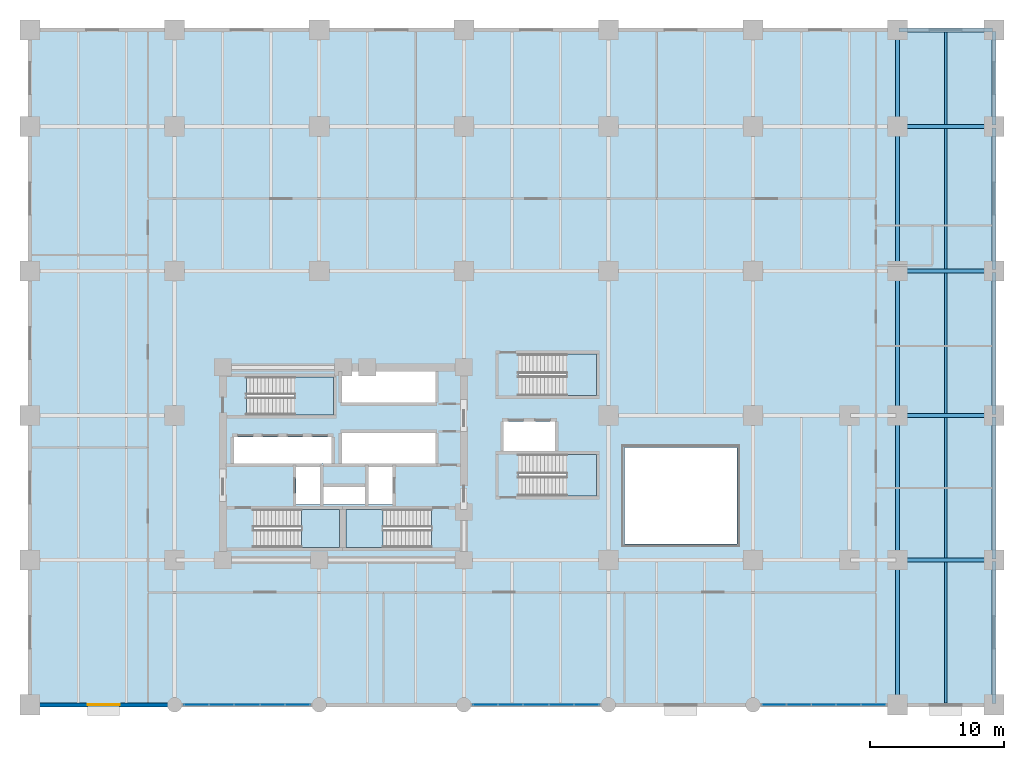
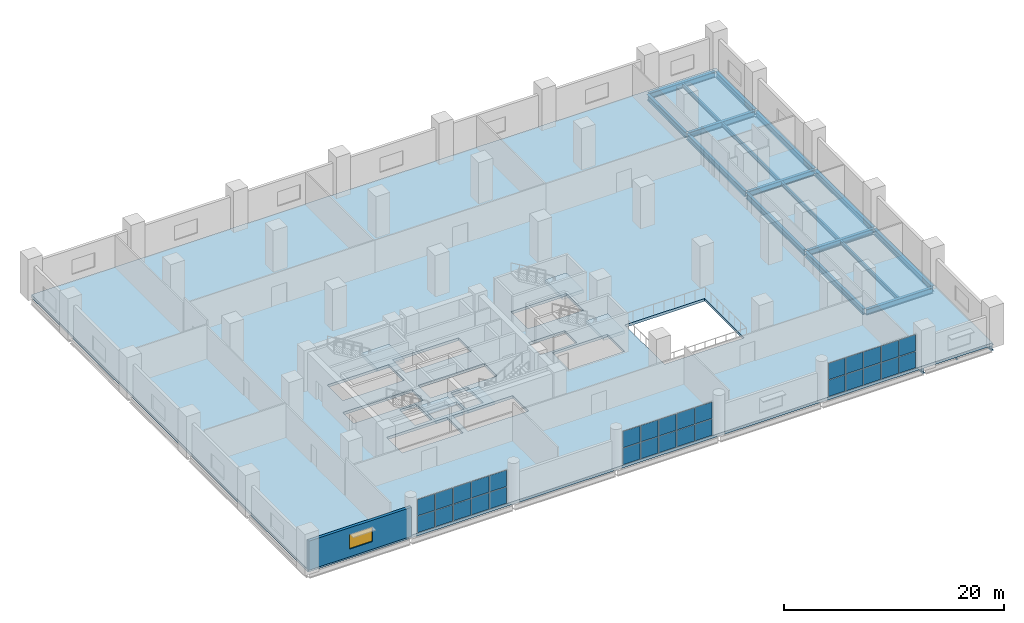
# One storey, part 9 of 16: 30 plates, 20 beams, 6 slabs, 1 wall, 1 window, 1 opening, 8 elements without a shape of their own.
"""IFC4 building model written with IfcOpenShell, lengths in metres."""

from ifc_helpers import new_model, si_unit, direction, frame, frame_2d, origin, origin_2d, place, context, subcontext, project, spatial, polyline, rectangle, i_section, outline, extrude, material, layer, layer_set, material_profile, profile_set, type_object, element, fill, aggregate, save


model = new_model("IFC4")

# Units and contexts
model_context = context("Model", 3, precision=1e-05, world=origin(), true_north=direction((0.0, 1.0)))
body_context = subcontext(model_context, "Body", "Model", "MODEL_VIEW")
ifc_project = project(units=[si_unit("LENGTHUNIT", "METRE"), si_unit("AREAUNIT", "SQUARE_METRE"), si_unit("VOLUMEUNIT", "CUBIC_METRE"), si_unit("PLANEANGLEUNIT", "RADIAN"), si_unit("MASSUNIT", "GRAM", prefix="KILO")], contexts=[model_context])

# Site, building, storey
site_placement = place(None, origin())
site = spatial("IfcSite", under=ifc_project, at=site_placement, CompositionType="ELEMENT")
building_placement = place(site_placement, origin())
building = spatial("IfcBuilding", under=site, at=building_placement, Name="Solnavia Interchange Tower", CompositionType="ELEMENT")
storey_placement = place(building_placement, frame((0.0, 0.0, 10.199951171875)))
storey = spatial("IfcBuildingStorey", under=building, at=storey_placement, Name="L02", CompositionType="ELEMENT", Elevation=10.199951171875)

# Beams
ifc_material_1 = material(Name="Steel S460", Category="steel")
ifc_material_profile_1 = material_profile(ifc_material_1, i_section(OverallWidth=0.300048828125, OverallDepth=0.64990234375, WebThickness=0.01611328125, FlangeThickness=0.031005859375, FilletRadius=0.027099609375, at=origin_2d()), Name="HEB 650")
ifc_profile_set_1 = profile_set([ifc_material_profile_1], Name="Steel S460")
beam_type_1 = type_object("IfcBeamType", Name="Beam-Girder-HEB650", PredefinedType="BEAM", material=ifc_profile_set_1)
for number, where, z_axis, x_axis, name in (
    (1, (64.89990234375, 10.800048828125, -0.625), (1.0, 0.0, 0.0), (0.0, 1.0, 0.0), "GRD-L02-16 Podium primary girder"),
    (2, (64.89990234375, 21.60009765625, -0.625), (1.0, 0.0, 0.0), (0.0, 1.0, 0.0), "GRD-L02-21 Podium primary girder"),
    (3, (64.89990234375, 32.39990234375, -0.625), (1.0, 0.0, 0.0), (0.0, 1.0, 0.0), "GRD-L02-29 Podium primary girder"),
    (4, (64.89990234375, 43.199951171875, -0.625), (1.0, 0.0, 0.0), (0.0, 1.0, 0.0), "GRD-L02-36 Podium primary girder"),
    (5, (64.89990234375, 50.39990234375, -0.625), (1.0, 0.0, 0.0), (0.0, 1.0, 0.0), "GRD-L02-43 Podium primary girder"),
):
    element("IfcBeam", number, at=place(storey_placement, frame(where, z_axis=z_axis, x_axis=x_axis)), inside=storey, type_object=beam_type_1, Name=name, PredefinedType="BEAM", context=body_context, shape_type="SweptSolid", body=[
        extrude(i_section(OverallWidth=0.300048828125, OverallDepth=0.64990234375, WebThickness=0.01611328125, FlangeThickness=0.031005859375, FilletRadius=0.027099609375, at=origin_2d()), origin(), (0.0, 0.0, 1.0), 7.0),
    ])
beam_1_placement = place(storey_placement, frame((64.800048828125, 0.10009765625, -0.625), z_axis=(0.0, 1.0, 0.0), x_axis=(-1.0, 0.0, 0.0)))
element("IfcBeam", 6, at=beam_1_placement, inside=storey, type_object=beam_type_1, Name="GRD-L02-73 Podium primary girder", PredefinedType="BEAM", context=body_context, shape_type="SweptSolid", body=[
    extrude(i_section(OverallWidth=0.300048828125, OverallDepth=0.64990234375, WebThickness=0.01611328125, FlangeThickness=0.031005859375, FilletRadius=0.027099609375, at=origin_2d()), origin(), (0.0, 0.0, 1.0), 10.599853515625),
])
for number, where, z_axis, x_axis, name in (
    (7, (64.800048828125, 10.89990234375, -0.625), (0.0, 1.0, 0.0), (-1.0, 0.0, 0.0), "GRD-L02-74 Podium primary girder"),
    (8, (64.800048828125, 21.699951171875, -0.625), (0.0, 1.0, 0.0), (-1.0, 0.0, 0.0), "GRD-L02-75 Podium primary girder"),
    (9, (64.800048828125, 32.5, -0.625), (0.0, 1.0, 0.0), (-1.0, 0.0, 0.0), "GRD-L02-76 Podium primary girder"),
):
    element("IfcBeam", number, at=place(storey_placement, frame(where, z_axis=z_axis, x_axis=x_axis)), inside=storey, type_object=beam_type_1, Name=name, PredefinedType="BEAM", context=body_context, shape_type="SweptSolid", body=[
        extrude(i_section(OverallWidth=0.300048828125, OverallDepth=0.64990234375, WebThickness=0.01611328125, FlangeThickness=0.031005859375, FilletRadius=0.027099609375, at=origin_2d()), origin(), (0.0, 0.0, 1.0), 10.60009765625),
    ])
beam_2_placement = place(storey_placement, frame((64.800048828125, 43.300048828125, -0.625), z_axis=(0.0, 1.0, 0.0), x_axis=(-1.0, 0.0, 0.0)))
element("IfcBeam", 10, at=beam_2_placement, inside=storey, type_object=beam_type_1, Name="GRD-L02-77 Podium primary girder", PredefinedType="BEAM", context=body_context, shape_type="SweptSolid", body=[
    extrude(i_section(OverallWidth=0.300048828125, OverallDepth=0.64990234375, WebThickness=0.01611328125, FlangeThickness=0.031005859375, FilletRadius=0.027099609375, at=origin_2d()), origin(), (0.0, 0.0, 1.0), 7.0),
])
beam_3_placement = place(storey_placement, frame((72.0, 0.10009765625, -0.625), z_axis=(0.0, 1.0, 0.0), x_axis=(-1.0, 0.0, 0.0)))
element("IfcBeam", 11, at=beam_3_placement, inside=storey, type_object=beam_type_1, Name="GRD-L02-78 Podium primary girder", PredefinedType="BEAM", context=body_context, shape_type="SweptSolid", body=[
    extrude(i_section(OverallWidth=0.300048828125, OverallDepth=0.64990234375, WebThickness=0.01611328125, FlangeThickness=0.031005859375, FilletRadius=0.027099609375, at=origin_2d()), origin(), (0.0, 0.0, 1.0), 10.599853515625),
])
for number, where, z_axis, x_axis, name in (
    (12, (72.0, 10.89990234375, -0.625), (0.0, 1.0, 0.0), (-1.0, 0.0, 0.0), "GRD-L02-79 Podium primary girder"),
    (13, (72.0, 21.699951171875, -0.625), (0.0, 1.0, 0.0), (-1.0, 0.0, 0.0), "GRD-L02-80 Podium primary girder"),
    (14, (72.0, 32.5, -0.625), (0.0, 1.0, 0.0), (-1.0, 0.0, 0.0), "GRD-L02-81 Podium primary girder"),
):
    element("IfcBeam", number, at=place(storey_placement, frame(where, z_axis=z_axis, x_axis=x_axis)), inside=storey, type_object=beam_type_1, Name=name, PredefinedType="BEAM", context=body_context, shape_type="SweptSolid", body=[
        extrude(i_section(OverallWidth=0.300048828125, OverallDepth=0.64990234375, WebThickness=0.01611328125, FlangeThickness=0.031005859375, FilletRadius=0.027099609375, at=origin_2d()), origin(), (0.0, 0.0, 1.0), 10.60009765625),
    ])
beam_4_placement = place(storey_placement, frame((72.0, 43.300048828125, -0.625), z_axis=(0.0, 1.0, 0.0), x_axis=(-1.0, 0.0, 0.0)))
element("IfcBeam", 15, at=beam_4_placement, inside=storey, type_object=beam_type_1, Name="GRD-L02-82 Podium primary girder", PredefinedType="BEAM", context=body_context, shape_type="SweptSolid", body=[
    extrude(i_section(OverallWidth=0.300048828125, OverallDepth=0.64990234375, WebThickness=0.01611328125, FlangeThickness=0.031005859375, FilletRadius=0.027099609375, at=origin_2d()), origin(), (0.0, 0.0, 1.0), 7.0),
])
ifc_material_2 = material(Name="Steel S355", Category="steel")
ifc_material_profile_2 = material_profile(ifc_material_2, i_section(OverallWidth=0.18994140625, OverallDepth=0.449951171875, WebThickness=0.009521484375, FlangeThickness=0.0146484375, FilletRadius=0.02099609375, at=origin_2d()), Name="IPE 450")
ifc_profile_set_2 = profile_set([ifc_material_profile_2], Name="Steel S355")
beam_type_2 = type_object("IfcBeamType", Name="Beam-Joist-IPE450", PredefinedType="JOIST", material=ifc_profile_set_2)
for number, where, z_axis, x_axis, name in (
    (16, (68.39990234375, 0.14990234375, -0.52490234375), (0.0, 1.0, 0.0), (-1.0, 0.0, 0.0), "JST-L02-40 Podium composite floor joist"),
    (17, (68.39990234375, 10.949951171875, -0.52490234375), (0.0, 1.0, 0.0), (-1.0, 0.0, 0.0), "JST-L02-41 Podium composite floor joist"),
    (18, (68.39990234375, 21.75, -0.52490234375), (0.0, 1.0, 0.0), (-1.0, 0.0, 0.0), "JST-L02-42 Podium composite floor joist"),
    (19, (68.39990234375, 32.550048828125, -0.52490234375), (0.0, 1.0, 0.0), (-1.0, 0.0, 0.0), "JST-L02-43 Podium composite floor joist"),
):
    element("IfcBeam", number, at=place(storey_placement, frame(where, z_axis=z_axis, x_axis=x_axis)), inside=storey, type_object=beam_type_2, Name=name, PredefinedType="JOIST", context=body_context, shape_type="SweptSolid", body=[
        extrude(i_section(OverallWidth=0.18994140625, OverallDepth=0.449951171875, WebThickness=0.009521484375, FlangeThickness=0.0146484375, FilletRadius=0.02099609375, at=origin_2d()), origin(), (0.0, 0.0, 1.0), 10.5),
    ])
beam_5_placement = place(storey_placement, frame((68.39990234375, 43.35009765625, -0.52490234375), z_axis=(0.0, 1.0, 0.0), x_axis=(-1.0, 0.0, 0.0)))
element("IfcBeam", 20, at=beam_5_placement, inside=storey, type_object=beam_type_2, Name="JST-L02-44 Podium composite floor joist", PredefinedType="JOIST", context=body_context, shape_type="SweptSolid", body=[
    extrude(i_section(OverallWidth=0.18994140625, OverallDepth=0.449951171875, WebThickness=0.009521484375, FlangeThickness=0.0146484375, FilletRadius=0.02099609375, at=origin_2d()), origin(), (0.0, 0.0, 1.0), 6.89990234375),
])

# Curtain wall, plates
ifc_material_3 = material(Name="Aluminium Alloy 6063-T6", Category="aluminium")
ifc_layer_1 = layer(ifc_material_3, 0.27001953125)
ifc_layer_set_1 = layer_set([ifc_layer_1], Name="Aluminium Alloy 6063-T6")
curtain_wall_type = type_object("IfcCurtainWallType", Name="CurtainWall-Podium-CTW1", PredefinedType="NOTDEFINED", material=ifc_layer_set_1)
curtain_wall_1_placement = place(storey_placement, origin())
curtain_wall_1 = element("IfcCurtainWall", 21, at=curtain_wall_1_placement, inside=storey, type_object=curtain_wall_type, Name="CTW-L02-S02 CTW-1 curtain wall", PredefinedType="NOTDEFINED")
ifc_material_4 = material(Name="Double-Glazed Low-E IGU Glass", Category="glass")
ifc_layer_2 = layer(ifc_material_4, 0.028076171875)
ifc_layer_set_2 = layer_set([ifc_layer_2], Name="Double-Glazed Low-E IGU Glass")
plate_type = type_object("IfcPlateType", Name="CW-Panel-Glazed-28", PredefinedType="CURTAIN_PANEL", material=ifc_layer_set_2)
plate_1_placement = place(storey_placement, frame((19.988037109375, 0.0, 0.070068359375), z_axis=(0.0, 0.0, 1.0), x_axis=(-1.0, 0.0, 0.0)))
plate_1 = element("IfcPlate", 22, at=plate_1_placement, type_object=plate_type, Name="CTW-1 panel 1.1", PredefinedType="CURTAIN_PANEL", context=body_context, shape_type="SweptSolid", body=[
    extrude(rectangle(XDim=1.783935546875, YDim=0.028076171875, at=origin_2d()), origin(), (0.0, 0.0, 1.0), 1.81005859375),
])
plate_2_placement = place(storey_placement, frame((19.988037109375, 0.0, 1.949951171875), z_axis=(0.0, 0.0, 1.0), x_axis=(-1.0, 0.0, 0.0)))
plate_2 = element("IfcPlate", 23, at=plate_2_placement, type_object=plate_type, Name="CTW-1 panel 1.2", PredefinedType="CURTAIN_PANEL", context=body_context, shape_type="SweptSolid", body=[
    extrude(rectangle(XDim=1.783935546875, YDim=0.028076171875, at=origin_2d()), origin(), (0.0, 0.0, 1.0), 1.81005859375),
])
plate_3_placement = place(storey_placement, frame((18.10400390625, 0.0, 0.070068359375), z_axis=(0.0, 0.0, 1.0), x_axis=(-1.0, 0.0, 0.0)))
plate_3 = element("IfcPlate", 24, at=plate_3_placement, type_object=plate_type, Name="CTW-1 panel 2.1", PredefinedType="CURTAIN_PANEL", context=body_context, shape_type="SweptSolid", body=[
    extrude(rectangle(XDim=1.823974609375, YDim=0.028076171875, at=origin_2d()), origin(), (0.0, 0.0, 1.0), 1.81005859375),
])
plate_4_placement = place(storey_placement, frame((18.10400390625, 0.0, 1.949951171875), z_axis=(0.0, 0.0, 1.0), x_axis=(-1.0, 0.0, 0.0)))
plate_4 = element("IfcPlate", 25, at=plate_4_placement, type_object=plate_type, Name="CTW-1 panel 2.2", PredefinedType="CURTAIN_PANEL", context=body_context, shape_type="SweptSolid", body=[
    extrude(rectangle(XDim=1.823974609375, YDim=0.028076171875, at=origin_2d()), origin(), (0.0, 0.0, 1.0), 1.81005859375),
])
plate_5_placement = place(storey_placement, frame((16.199951171875, 0.0, 0.070068359375), z_axis=(0.0, 0.0, 1.0), x_axis=(-1.0, 0.0, 0.0)))
plate_5 = element("IfcPlate", 26, at=plate_5_placement, type_object=plate_type, Name="CTW-1 panel 3.1", PredefinedType="CURTAIN_PANEL", context=body_context, shape_type="SweptSolid", body=[
    extrude(rectangle(XDim=1.823974609375, YDim=0.028076171875, at=origin_2d()), origin(), (0.0, 0.0, 1.0), 1.81005859375),
])
plate_6_placement = place(storey_placement, frame((16.199951171875, 0.0, 1.949951171875), z_axis=(0.0, 0.0, 1.0), x_axis=(-1.0, 0.0, 0.0)))
plate_6 = element("IfcPlate", 27, at=plate_6_placement, type_object=plate_type, Name="CTW-1 panel 3.2", PredefinedType="CURTAIN_PANEL", context=body_context, shape_type="SweptSolid", body=[
    extrude(rectangle(XDim=1.823974609375, YDim=0.028076171875, at=origin_2d()), origin(), (0.0, 0.0, 1.0), 1.81005859375),
])
plate_7_placement = place(storey_placement, frame((14.2958984375, 0.0, 0.070068359375), z_axis=(0.0, 0.0, 1.0), x_axis=(-1.0, 0.0, 0.0)))
plate_7 = element("IfcPlate", 28, at=plate_7_placement, type_object=plate_type, Name="CTW-1 panel 4.1", PredefinedType="CURTAIN_PANEL", context=body_context, shape_type="SweptSolid", body=[
    extrude(rectangle(XDim=1.823974609375, YDim=0.028076171875, at=origin_2d()), origin(), (0.0, 0.0, 1.0), 1.81005859375),
])
plate_8_placement = place(storey_placement, frame((14.2958984375, 0.0, 1.949951171875), z_axis=(0.0, 0.0, 1.0), x_axis=(-1.0, 0.0, 0.0)))
plate_8 = element("IfcPlate", 29, at=plate_8_placement, type_object=plate_type, Name="CTW-1 panel 4.2", PredefinedType="CURTAIN_PANEL", context=body_context, shape_type="SweptSolid", body=[
    extrude(rectangle(XDim=1.823974609375, YDim=0.028076171875, at=origin_2d()), origin(), (0.0, 0.0, 1.0), 1.81005859375),
])
plate_9_placement = place(storey_placement, frame((12.412109375, 0.0, 0.070068359375), z_axis=(0.0, 0.0, 1.0), x_axis=(-1.0, 0.0, 0.0)))
plate_9 = element("IfcPlate", 30, at=plate_9_placement, type_object=plate_type, Name="CTW-1 panel 5.1", PredefinedType="CURTAIN_PANEL", context=body_context, shape_type="SweptSolid", body=[
    extrude(rectangle(XDim=1.783935546875, YDim=0.028076171875, at=origin_2d()), origin(), (0.0, 0.0, 1.0), 1.81005859375),
])
plate_10_placement = place(storey_placement, frame((12.412109375, 0.0, 1.949951171875), z_axis=(0.0, 0.0, 1.0), x_axis=(-1.0, 0.0, 0.0)))
plate_10 = element("IfcPlate", 31, at=plate_10_placement, type_object=plate_type, Name="CTW-1 panel 5.2", PredefinedType="CURTAIN_PANEL", context=body_context, shape_type="SweptSolid", body=[
    extrude(rectangle(XDim=1.783935546875, YDim=0.028076171875, at=origin_2d()), origin(), (0.0, 0.0, 1.0), 1.81005859375),
])
aggregate(curtain_wall_1, [plate_1, plate_2, plate_3, plate_4, plate_5, plate_6, plate_7, plate_8, plate_9, plate_10])

curtain_wall_2_placement = place(storey_placement, origin())
curtain_wall_2 = element("IfcCurtainWall", 32, at=curtain_wall_2_placement, inside=storey, type_object=curtain_wall_type, Name="CTW-L02-S04 CTW-1 curtain wall", PredefinedType="NOTDEFINED")
plate_11_placement = place(storey_placement, frame((41.587890625, 0.0, 0.070068359375), z_axis=(0.0, 0.0, 1.0), x_axis=(-1.0, 0.0, 0.0)))
plate_11 = element("IfcPlate", 33, at=plate_11_placement, type_object=plate_type, Name="CTW-1 panel 1.1", PredefinedType="CURTAIN_PANEL", context=body_context, shape_type="SweptSolid", body=[
    extrude(rectangle(XDim=1.783935546875, YDim=0.028076171875, at=origin_2d()), origin(), (0.0, 0.0, 1.0), 1.81005859375),
])
plate_12_placement = place(storey_placement, frame((41.587890625, 0.0, 1.949951171875), z_axis=(0.0, 0.0, 1.0), x_axis=(-1.0, 0.0, 0.0)))
plate_12 = element("IfcPlate", 34, at=plate_12_placement, type_object=plate_type, Name="CTW-1 panel 1.2", PredefinedType="CURTAIN_PANEL", context=body_context, shape_type="SweptSolid", body=[
    extrude(rectangle(XDim=1.783935546875, YDim=0.028076171875, at=origin_2d()), origin(), (0.0, 0.0, 1.0), 1.81005859375),
])
plate_13_placement = place(storey_placement, frame((39.7041015625, 0.0, 0.070068359375), z_axis=(0.0, 0.0, 1.0), x_axis=(-1.0, 0.0, 0.0)))
plate_13 = element("IfcPlate", 35, at=plate_13_placement, type_object=plate_type, Name="CTW-1 panel 2.1", PredefinedType="CURTAIN_PANEL", context=body_context, shape_type="SweptSolid", body=[
    extrude(rectangle(XDim=1.823974609375, YDim=0.028076171875, at=origin_2d()), origin(), (0.0, 0.0, 1.0), 1.81005859375),
])
plate_14_placement = place(storey_placement, frame((39.7041015625, 0.0, 1.949951171875), z_axis=(0.0, 0.0, 1.0), x_axis=(-1.0, 0.0, 0.0)))
plate_14 = element("IfcPlate", 36, at=plate_14_placement, type_object=plate_type, Name="CTW-1 panel 2.2", PredefinedType="CURTAIN_PANEL", context=body_context, shape_type="SweptSolid", body=[
    extrude(rectangle(XDim=1.823974609375, YDim=0.028076171875, at=origin_2d()), origin(), (0.0, 0.0, 1.0), 1.81005859375),
])
plate_15_placement = place(storey_placement, frame((37.800048828125, 0.0, 0.070068359375), z_axis=(0.0, 0.0, 1.0), x_axis=(-1.0, 0.0, 0.0)))
plate_15 = element("IfcPlate", 37, at=plate_15_placement, type_object=plate_type, Name="CTW-1 panel 3.1", PredefinedType="CURTAIN_PANEL", context=body_context, shape_type="SweptSolid", body=[
    extrude(rectangle(XDim=1.823974609375, YDim=0.028076171875, at=origin_2d()), origin(), (0.0, 0.0, 1.0), 1.81005859375),
])
plate_16_placement = place(storey_placement, frame((37.800048828125, 0.0, 1.949951171875), z_axis=(0.0, 0.0, 1.0), x_axis=(-1.0, 0.0, 0.0)))
plate_16 = element("IfcPlate", 38, at=plate_16_placement, type_object=plate_type, Name="CTW-1 panel 3.2", PredefinedType="CURTAIN_PANEL", context=body_context, shape_type="SweptSolid", body=[
    extrude(rectangle(XDim=1.823974609375, YDim=0.028076171875, at=origin_2d()), origin(), (0.0, 0.0, 1.0), 1.81005859375),
])
plate_17_placement = place(storey_placement, frame((35.89599609375, 0.0, 0.070068359375), z_axis=(0.0, 0.0, 1.0), x_axis=(-1.0, 0.0, 0.0)))
plate_17 = element("IfcPlate", 39, at=plate_17_placement, type_object=plate_type, Name="CTW-1 panel 4.1", PredefinedType="CURTAIN_PANEL", context=body_context, shape_type="SweptSolid", body=[
    extrude(rectangle(XDim=1.823974609375, YDim=0.028076171875, at=origin_2d()), origin(), (0.0, 0.0, 1.0), 1.81005859375),
])
plate_18_placement = place(storey_placement, frame((35.89599609375, 0.0, 1.949951171875), z_axis=(0.0, 0.0, 1.0), x_axis=(-1.0, 0.0, 0.0)))
plate_18 = element("IfcPlate", 40, at=plate_18_placement, type_object=plate_type, Name="CTW-1 panel 4.2", PredefinedType="CURTAIN_PANEL", context=body_context, shape_type="SweptSolid", body=[
    extrude(rectangle(XDim=1.823974609375, YDim=0.028076171875, at=origin_2d()), origin(), (0.0, 0.0, 1.0), 1.81005859375),
])
plate_19_placement = place(storey_placement, frame((34.011962890625, 0.0, 0.070068359375), z_axis=(0.0, 0.0, 1.0), x_axis=(-1.0, 0.0, 0.0)))
plate_19 = element("IfcPlate", 41, at=plate_19_placement, type_object=plate_type, Name="CTW-1 panel 5.1", PredefinedType="CURTAIN_PANEL", context=body_context, shape_type="SweptSolid", body=[
    extrude(rectangle(XDim=1.783935546875, YDim=0.028076171875, at=origin_2d()), origin(), (0.0, 0.0, 1.0), 1.81005859375),
])
plate_20_placement = place(storey_placement, frame((34.011962890625, 0.0, 1.949951171875), z_axis=(0.0, 0.0, 1.0), x_axis=(-1.0, 0.0, 0.0)))
plate_20 = element("IfcPlate", 42, at=plate_20_placement, type_object=plate_type, Name="CTW-1 panel 5.2", PredefinedType="CURTAIN_PANEL", context=body_context, shape_type="SweptSolid", body=[
    extrude(rectangle(XDim=1.783935546875, YDim=0.028076171875, at=origin_2d()), origin(), (0.0, 0.0, 1.0), 1.81005859375),
])
aggregate(curtain_wall_2, [plate_11, plate_12, plate_13, plate_14, plate_15, plate_16, plate_17, plate_18, plate_19, plate_20])

curtain_wall_3_placement = place(storey_placement, origin())
curtain_wall_3 = element("IfcCurtainWall", 43, at=curtain_wall_3_placement, inside=storey, type_object=curtain_wall_type, Name="CTW-L02-S06 CTW-1 curtain wall", PredefinedType="NOTDEFINED")
plate_21_placement = place(storey_placement, frame((63.008056640625, 0.0, 0.070068359375), z_axis=(0.0, 0.0, 1.0), x_axis=(-1.0, 0.0, 0.0)))
plate_21 = element("IfcPlate", 44, at=plate_21_placement, type_object=plate_type, Name="CTW-1 panel 1.1", PredefinedType="CURTAIN_PANEL", context=body_context, shape_type="SweptSolid", body=[
    extrude(rectangle(XDim=1.743896484375, YDim=0.028076171875, at=origin_2d()), origin(), (0.0, 0.0, 1.0), 1.81005859375),
])
plate_22_placement = place(storey_placement, frame((63.008056640625, 0.0, 1.949951171875), z_axis=(0.0, 0.0, 1.0), x_axis=(-1.0, 0.0, 0.0)))
plate_22 = element("IfcPlate", 45, at=plate_22_placement, type_object=plate_type, Name="CTW-1 panel 1.2", PredefinedType="CURTAIN_PANEL", context=body_context, shape_type="SweptSolid", body=[
    extrude(rectangle(XDim=1.743896484375, YDim=0.028076171875, at=origin_2d()), origin(), (0.0, 0.0, 1.0), 1.81005859375),
])
plate_23_placement = place(storey_placement, frame((61.1640625, 0.0, 0.070068359375), z_axis=(0.0, 0.0, 1.0), x_axis=(-1.0, 0.0, 0.0)))
plate_23 = element("IfcPlate", 46, at=plate_23_placement, type_object=plate_type, Name="CTW-1 panel 2.1", PredefinedType="CURTAIN_PANEL", context=body_context, shape_type="SweptSolid", body=[
    extrude(rectangle(XDim=1.783935546875, YDim=0.028076171875, at=origin_2d()), origin(), (0.0, 0.0, 1.0), 1.81005859375),
])
plate_24_placement = place(storey_placement, frame((61.1640625, 0.0, 1.949951171875), z_axis=(0.0, 0.0, 1.0), x_axis=(-1.0, 0.0, 0.0)))
plate_24 = element("IfcPlate", 47, at=plate_24_placement, type_object=plate_type, Name="CTW-1 panel 2.2", PredefinedType="CURTAIN_PANEL", context=body_context, shape_type="SweptSolid", body=[
    extrude(rectangle(XDim=1.783935546875, YDim=0.028076171875, at=origin_2d()), origin(), (0.0, 0.0, 1.0), 1.81005859375),
])
plate_25_placement = place(storey_placement, frame((59.300048828125, 0.0, 0.070068359375), z_axis=(0.0, 0.0, 1.0), x_axis=(-1.0, 0.0, 0.0)))
plate_25 = element("IfcPlate", 48, at=plate_25_placement, type_object=plate_type, Name="CTW-1 panel 3.1", PredefinedType="CURTAIN_PANEL", context=body_context, shape_type="SweptSolid", body=[
    extrude(rectangle(XDim=1.783935546875, YDim=0.028076171875, at=origin_2d()), origin(), (0.0, 0.0, 1.0), 1.81005859375),
])
plate_26_placement = place(storey_placement, frame((59.300048828125, 0.0, 1.949951171875), z_axis=(0.0, 0.0, 1.0), x_axis=(-1.0, 0.0, 0.0)))
plate_26 = element("IfcPlate", 49, at=plate_26_placement, type_object=plate_type, Name="CTW-1 panel 3.2", PredefinedType="CURTAIN_PANEL", context=body_context, shape_type="SweptSolid", body=[
    extrude(rectangle(XDim=1.783935546875, YDim=0.028076171875, at=origin_2d()), origin(), (0.0, 0.0, 1.0), 1.81005859375),
])
plate_27_placement = place(storey_placement, frame((57.43603515625, 0.0, 0.070068359375), z_axis=(0.0, 0.0, 1.0), x_axis=(-1.0, 0.0, 0.0)))
plate_27 = element("IfcPlate", 50, at=plate_27_placement, type_object=plate_type, Name="CTW-1 panel 4.1", PredefinedType="CURTAIN_PANEL", context=body_context, shape_type="SweptSolid", body=[
    extrude(rectangle(XDim=1.783935546875, YDim=0.028076171875, at=origin_2d()), origin(), (0.0, 0.0, 1.0), 1.81005859375),
])
plate_28_placement = place(storey_placement, frame((57.43603515625, 0.0, 1.949951171875), z_axis=(0.0, 0.0, 1.0), x_axis=(-1.0, 0.0, 0.0)))
plate_28 = element("IfcPlate", 51, at=plate_28_placement, type_object=plate_type, Name="CTW-1 panel 4.2", PredefinedType="CURTAIN_PANEL", context=body_context, shape_type="SweptSolid", body=[
    extrude(rectangle(XDim=1.783935546875, YDim=0.028076171875, at=origin_2d()), origin(), (0.0, 0.0, 1.0), 1.81005859375),
])
plate_29_placement = place(storey_placement, frame((55.592041015625, 0.0, 0.070068359375), z_axis=(0.0, 0.0, 1.0), x_axis=(-1.0, 0.0, 0.0)))
plate_29 = element("IfcPlate", 52, at=plate_29_placement, type_object=plate_type, Name="CTW-1 panel 5.1", PredefinedType="CURTAIN_PANEL", context=body_context, shape_type="SweptSolid", body=[
    extrude(rectangle(XDim=1.743896484375, YDim=0.028076171875, at=origin_2d()), origin(), (0.0, 0.0, 1.0), 1.81005859375),
])
plate_30_placement = place(storey_placement, frame((55.592041015625, 0.0, 1.949951171875), z_axis=(0.0, 0.0, 1.0), x_axis=(-1.0, 0.0, 0.0)))
plate_30 = element("IfcPlate", 53, at=plate_30_placement, type_object=plate_type, Name="CTW-1 panel 5.2", PredefinedType="CURTAIN_PANEL", context=body_context, shape_type="SweptSolid", body=[
    extrude(rectangle(XDim=1.743896484375, YDim=0.028076171875, at=origin_2d()), origin(), (0.0, 0.0, 1.0), 1.81005859375),
])
aggregate(curtain_wall_3, [plate_21, plate_22, plate_23, plate_24, plate_25, plate_26, plate_27, plate_28, plate_29, plate_30])

# Slab
ifc_material_5 = material(Name="Concrete C40/50", Category="concrete")
ifc_layer_3 = layer(ifc_material_5, 0.300048828125)
ifc_layer_set_3 = layer_set([ifc_layer_3], Name="Concrete C40/50")
slab_type_1 = type_object("IfcSlabType", Name="Slab-Podium-300", PredefinedType="FLOOR", material=ifc_layer_set_3)
slab_1_placement = place(storey_placement, frame((0.0, 0.0, -0.300048828125)))
element("IfcSlab", 54, at=slab_1_placement, inside=storey, type_object=slab_type_1, Name="SLB-L02-01 Structural floor slab", PredefinedType="FLOOR", context=body_context, shape_type="SweptSolid", body=[
    extrude(outline(polyline([(0.0, 0.0), (72.0, 0.0), (72.0, 50.39990234375), (0.0, 50.39990234375), (0.0, 0.0)]), holes=[polyline([(16.675048828125, 11.75), (23.10009765625, 11.75), (23.10009765625, 14.590087890625), (16.675048828125, 14.590087890625), (16.675048828125, 11.75)]), polyline([(23.60009765625, 11.75), (29.97509765625, 11.75), (29.97509765625, 14.590087890625), (23.60009765625, 14.590087890625), (23.60009765625, 11.75)]), polyline([(16.175048828125, 21.64990234375), (22.64990234375, 21.64990234375), (22.64990234375, 24.489990234375), (16.175048828125, 24.489990234375), (16.175048828125, 21.64990234375)]), polyline([(36.47509765625, 15.60009765625), (42.300048828125, 15.60009765625), (42.300048828125, 18.699951171875), (36.47509765625, 18.699951171875), (36.47509765625, 15.60009765625)]), polyline([(36.47509765625, 23.10009765625), (42.300048828125, 23.10009765625), (42.300048828125, 26.199951171875), (36.47509765625, 26.199951171875), (36.47509765625, 23.10009765625)]), polyline([(19.8798828125, 14.9599609375), (21.679931640625, 14.9599609375), (21.679931640625, 17.780029296875), (19.8798828125, 17.780029296875), (19.8798828125, 14.9599609375)]), polyline([(25.280029296875, 14.9599609375), (27.080078125, 14.9599609375), (27.080078125, 17.780029296875), (25.280029296875, 17.780029296875), (25.280029296875, 14.9599609375)]), polyline([(21.919921875, 14.9599609375), (25.02001953125, 14.9599609375), (25.02001953125, 16.280029296875), (21.919921875, 16.280029296875), (21.919921875, 14.9599609375)]), polyline([(15.219970703125, 18.02001953125), (22.52001953125, 18.02001953125), (22.52001953125, 20.0), (15.219970703125, 20.0), (15.219970703125, 18.02001953125)]), polyline([(23.300048828125, 18.02001953125), (30.280029296875, 18.02001953125), (30.280029296875, 20.300048828125), (23.300048828125, 20.300048828125), (23.300048828125, 18.02001953125)]), polyline([(23.300048828125, 22.580078125), (30.280029296875, 22.580078125), (30.280029296875, 25.0), (23.300048828125, 25.0), (23.300048828125, 22.580078125)]), polyline([(35.3798828125, 18.949951171875), (39.219970703125, 18.949951171875), (39.219970703125, 21.159912109375), (35.3798828125, 21.159912109375), (35.3798828125, 18.949951171875)]), polyline([(44.39990234375, 12.0), (52.800048828125, 12.0), (52.800048828125, 19.199951171875), (44.39990234375, 19.199951171875), (44.39990234375, 12.0)])]), origin(), (0.0, 0.0, 1.0), 0.300048828125),
])

# Stair, slab
stair_type = type_object("IfcStairType", Name="Stair-Dogleg-RC", PredefinedType="HALF_TURN_STAIR", material=ifc_material_5)
stair_1_placement = place(storey_placement, origin())
stair_1 = element("IfcStair", 55, at=stair_1_placement, inside=storey, type_object=stair_type, Name="L02 Core exit stair 1", PredefinedType="HALF_TURN_STAIR")
ifc_layer_4 = layer(ifc_material_5, 0.35009765625)
ifc_layer_set_4 = layer_set([ifc_layer_4], Name="Concrete C40/50")
slab_type_2 = type_object("IfcSlabType", Name="Slab-StairLanding-350", PredefinedType="LANDING", material=ifc_layer_set_4)
slab_2_placement = place(storey_placement, frame((0.0, 0.0, 1.949951171875)))
slab_2 = element("IfcSlab", 56, at=slab_2_placement, type_object=slab_type_2, Name="ST-1 landing 1", PredefinedType="LANDING", context=body_context, shape_type="SweptSolid", body=[
    extrude(outline(polyline([(20.26806640625, 11.75), (23.10009765625, 11.75), (23.10009765625, 14.590087890625), (20.26806640625, 14.590087890625), (20.26806640625, 11.75)])), origin(), (0.0, 0.0, 1.0), 0.35009765625),
])
aggregate(stair_1, [slab_2])

stair_2_placement = place(storey_placement, origin())
stair_2 = element("IfcStair", 57, at=stair_2_placement, inside=storey, type_object=stair_type, Name="L02 Core exit stair 2", PredefinedType="HALF_TURN_STAIR")
slab_3_placement = place(storey_placement, frame((0.0, 0.0, 1.949951171875)))
slab_3 = element("IfcSlab", 58, at=slab_3_placement, type_object=slab_type_2, Name="ST-2 landing 1", PredefinedType="LANDING", context=body_context, shape_type="SweptSolid", body=[
    extrude(outline(polyline([(23.60009765625, 11.75), (26.382080078125, 11.75), (26.382080078125, 14.590087890625), (23.60009765625, 14.590087890625), (23.60009765625, 11.75)])), origin(), (0.0, 0.0, 1.0), 0.35009765625),
])
aggregate(stair_2, [slab_3])

stair_3_placement = place(storey_placement, origin())
stair_3 = element("IfcStair", 59, at=stair_3_placement, inside=storey, type_object=stair_type, Name="L02 Core exit stair 3", PredefinedType="HALF_TURN_STAIR")
slab_4_placement = place(storey_placement, frame((0.0, 0.0, 1.949951171875)))
slab_4 = element("IfcSlab", 60, at=slab_4_placement, type_object=slab_type_2, Name="ST-3 landing 1", PredefinedType="LANDING", context=body_context, shape_type="SweptSolid", body=[
    extrude(outline(polyline([(19.76806640625, 21.64990234375), (22.64990234375, 21.64990234375), (22.64990234375, 24.489990234375), (19.76806640625, 24.489990234375), (19.76806640625, 21.64990234375)])), origin(), (0.0, 0.0, 1.0), 0.35009765625),
])
aggregate(stair_3, [slab_4])

stair_4_placement = place(storey_placement, origin())
stair_4 = element("IfcStair", 61, at=stair_4_placement, inside=storey, type_object=stair_type, Name="L02 Podium exit stair 1", PredefinedType="HALF_TURN_STAIR")
slab_5_placement = place(storey_placement, frame((0.0, 0.0, 1.949951171875)))
slab_5 = element("IfcSlab", 62, at=slab_5_placement, type_object=slab_type_2, Name="ST-P1 landing 1", PredefinedType="LANDING", context=body_context, shape_type="SweptSolid", body=[
    extrude(outline(polyline([(40.068115234375, 15.60009765625), (42.300048828125, 15.60009765625), (42.300048828125, 18.699951171875), (40.068115234375, 18.699951171875), (40.068115234375, 15.60009765625)])), origin(), (0.0, 0.0, 1.0), 0.35009765625),
])
aggregate(stair_4, [slab_5])

stair_5_placement = place(storey_placement, origin())
stair_5 = element("IfcStair", 63, at=stair_5_placement, inside=storey, type_object=stair_type, Name="L02 Podium exit stair 2", PredefinedType="HALF_TURN_STAIR")
slab_6_placement = place(storey_placement, frame((0.0, 0.0, 1.949951171875)))
slab_6 = element("IfcSlab", 64, at=slab_6_placement, type_object=slab_type_2, Name="ST-P2 landing 1", PredefinedType="LANDING", context=body_context, shape_type="SweptSolid", body=[
    extrude(outline(polyline([(40.068115234375, 23.10009765625), (42.300048828125, 23.10009765625), (42.300048828125, 26.199951171875), (40.068115234375, 26.199951171875), (40.068115234375, 23.10009765625)])), origin(), (0.0, 0.0, 1.0), 0.35009765625),
])
aggregate(stair_5, [slab_6])

# Wall, opening, window
ifc_layer_5 = layer(ifc_material_5, 0.300048828125)
ifc_layer_set_5 = layer_set([ifc_layer_5], Name="Concrete C40/50")
wall_type = type_object("IfcWallType", Name="Wall-ExtSpandrel-300", PredefinedType="STANDARD", material=ifc_layer_set_5)
wall_placement = place(storey_placement, frame((10.800048828125, 0.0, 0.0), z_axis=(0.0, 0.0, 1.0), x_axis=(-1.0, 0.0, 0.0)))
wall = element("IfcWall", 65, at=wall_placement, inside=storey, type_object=wall_type, Name="EXW-L02-S01 South podium wall", PredefinedType="STANDARD", context=body_context, shape_type="SweptSolid", body=[
    extrude(rectangle(XDim=10.800048828125, YDim=0.300048828125, at=frame_2d((5.39990234375, 0.0))), origin(), (0.0, 0.0, 1.0), 3.22998046875),
])
opening_placement = place(wall_placement, frame((4.10009765625, 0.0, 0.85009765625)))
opening = element("IfcOpeningElement", 66, at=opening_placement, cuts=wall, Name="Opening WIN-06", PredefinedType="OPENING", context=body_context, shape_type="SweptSolid", body=[
    extrude(rectangle(XDim=2.39990234375, YDim=1.60009765625, at=frame_2d((1.199951171875, 0.800048828125))), frame((0.0, 0.16015625, 0.0), z_axis=(0.0, -1.0, 0.0), x_axis=(1.0, 0.0, 0.0)), (0.0, 0.0, 1.0), 0.320068359375),
])
ifc_material_6 = material(Name="Thermal-Break Aluminium & Low-E Glass", Category="aluminium")
window_type = type_object("IfcWindowType", Name="Window-Podium-2400x1600", PartitioningType="SINGLE_PANEL", PredefinedType="WINDOW", material=ifc_material_6)
window_placement = place(opening_placement, origin())
window = element("IfcWindow", 67, at=window_placement, inside=storey, type_object=window_type, Name="WIN-L02-S01 South podium window", OverallHeight=1.60009765625, OverallWidth=2.39990234375, PartitioningType="SINGLE_PANEL", PredefinedType="WINDOW", context=body_context, shape_type="SweptSolid", body=[
    extrude(rectangle(XDim=2.39990234375, YDim=1.60009765625, at=frame_2d((1.199951171875, 0.800048828125))), frame((0.0, 0.030029296875, 0.0), z_axis=(0.0, -1.0, 0.0), x_axis=(1.0, 0.0, 0.0)), (0.0, 0.0, 1.0), 0.06005859375),
])
fill(opening, window)

save(model, "model.ifc")
